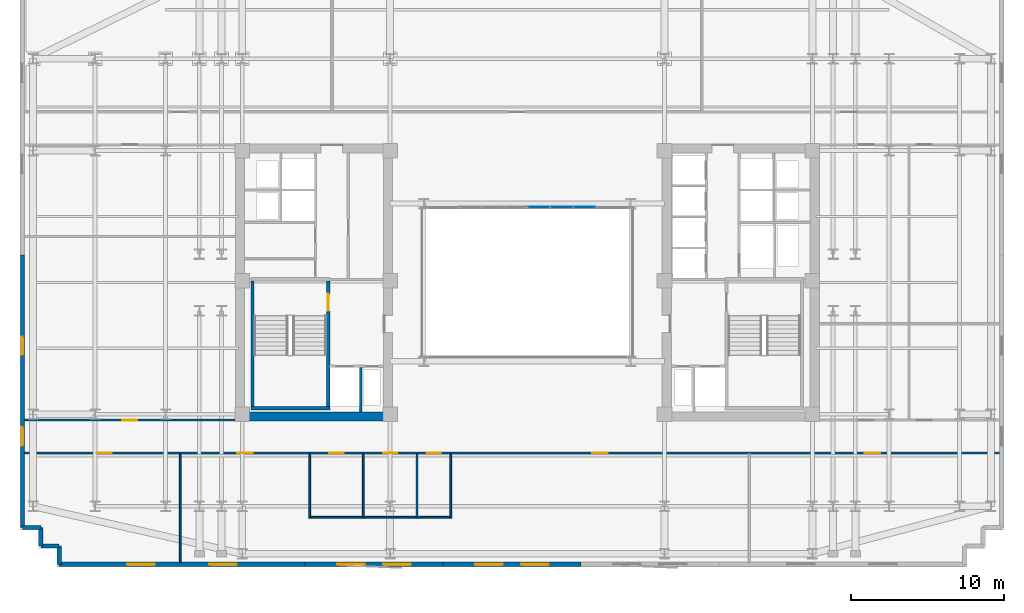
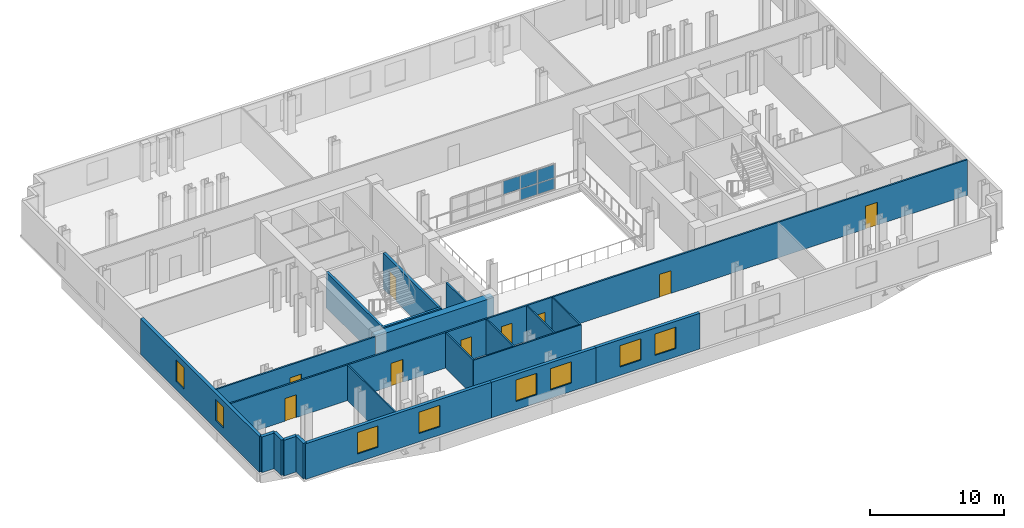
# One storey, part 6 of 12: 21 walls, 9 doors, 8 windows, 5 plates, 17 openings, 1 element without a shape of its own.
"""IFC4 building model written with IfcOpenShell, lengths in metres."""

from ifc_helpers import new_model, si_unit, direction, frame, frame_2d, origin, origin_2d, place, context, subcontext, project, spatial, rectangle, extrude, material, layer, layer_set, type_object, element, fill, aggregate, save


model = new_model("IFC4")

# Units and contexts
model_context = context("Model", 3, precision=1e-05, world=origin(), true_north=direction((0.0, 1.0)))
body_context = subcontext(model_context, "Body", "Model", "MODEL_VIEW")
ifc_project = project(units=[si_unit("LENGTHUNIT", "METRE"), si_unit("AREAUNIT", "SQUARE_METRE"), si_unit("VOLUMEUNIT", "CUBIC_METRE"), si_unit("PLANEANGLEUNIT", "RADIAN"), si_unit("MASSUNIT", "GRAM", prefix="KILO")], contexts=[model_context])

# Site, building, storey
site_placement = place(None, origin())
site = spatial("IfcSite", under=ifc_project, at=site_placement, CompositionType="ELEMENT")
building_placement = place(site_placement, origin())
building = spatial("IfcBuilding", under=site, at=building_placement, Name="Velakula Bourse", CompositionType="ELEMENT")
storey_placement = place(building_placement, frame((0.0, 0.0, 120.85009765625)))
storey = spatial("IfcBuildingStorey", under=building, at=storey_placement, Name="L32", CompositionType="ELEMENT", Elevation=120.85009765625)

# Curtain wall, plates
ifc_material_1 = material(Name="Anodised bronze architectural aluminium", Category="aluminium")
ifc_layer_1 = layer(ifc_material_1, 0.14990234375, Name="Anodised bronze architectural aluminium", Category="aluminium")
ifc_layer_set_1 = layer_set([ifc_layer_1], Name="Anodised bronze architectural aluminium")
curtain_wall_type = type_object("IfcCurtainWallType", Name="CW-AT1", PredefinedType="NOTDEFINED", material=ifc_layer_set_1)
curtain_wall_placement = place(storey_placement, origin())
curtain_wall = element("IfcCurtainWall", 1, at=curtain_wall_placement, inside=storey, type_object=curtain_wall_type, Name="L32 Central Trading Atrium Fire-Rated Glazed Screen", PredefinedType="NOTDEFINED")
ifc_material_2 = material(Name="Fire-resistant EI 120 laminated glazing", Category="glass")
ifc_layer_2 = layer(ifc_material_2, 0.02392578125, Name="Fire-resistant EI 120 laminated glazing", Category="glass")
ifc_layer_set_2 = layer_set([ifc_layer_2], Name="Fire-resistant EI 120 laminated glazing")
plate_type = type_object("IfcPlateType", Name="PNL-CW-AT1", PredefinedType="CURTAIN_PANEL", material=ifc_layer_set_2)
plate_1_placement = place(storey_placement, frame((0.75, 4.919921875, 1.085205078125), z_axis=(0.0, 0.0, 1.0), x_axis=(1.0, 0.0, 0.0)))
plate_1 = element("IfcPlate", 2, at=plate_1_placement, type_object=plate_type, Name="CW-AT1 panel 4.2", PredefinedType="CURTAIN_PANEL", context=body_context, shape_type="SweptSolid", body=[
    extrude(rectangle(XDim=1.43994140625, YDim=0.028076171875, at=origin_2d()), origin(), (0.0, 0.0, 1.0), 1.19970703125),
])
plate_2_placement = place(storey_placement, frame((2.25, 4.919921875, 0.06005859375), z_axis=(0.0, 0.0, 1.0), x_axis=(1.0, 0.0, 0.0)))
plate_2 = element("IfcPlate", 3, at=plate_2_placement, type_object=plate_type, Name="CW-AT1 panel 5.1", PredefinedType="CURTAIN_PANEL", context=body_context, shape_type="SweptSolid", body=[
    extrude(rectangle(XDim=1.43994140625, YDim=0.028076171875, at=origin_2d()), origin(), (0.0, 0.0, 1.0), 0.965087890625),
])
plate_3_placement = place(storey_placement, frame((2.25, 4.919921875, 1.085205078125), z_axis=(0.0, 0.0, 1.0), x_axis=(1.0, 0.0, 0.0)))
plate_3 = element("IfcPlate", 4, at=plate_3_placement, type_object=plate_type, Name="CW-AT1 panel 5.2", PredefinedType="CURTAIN_PANEL", context=body_context, shape_type="SweptSolid", body=[
    extrude(rectangle(XDim=1.43994140625, YDim=0.028076171875, at=origin_2d()), origin(), (0.0, 0.0, 1.0), 1.19970703125),
])
plate_4_placement = place(storey_placement, frame((3.735107421875, 4.919921875, 0.06005859375), z_axis=(0.0, 0.0, 1.0), x_axis=(1.0, 0.0, 0.0)))
plate_4 = element("IfcPlate", 5, at=plate_4_placement, type_object=plate_type, Name="CW-AT1 panel 6.1", PredefinedType="CURTAIN_PANEL", context=body_context, shape_type="SweptSolid", body=[
    extrude(rectangle(XDim=1.409912109375, YDim=0.028076171875, at=origin_2d()), origin(), (0.0, 0.0, 1.0), 0.965087890625),
])
plate_5_placement = place(storey_placement, frame((3.735107421875, 4.919921875, 1.085205078125), z_axis=(0.0, 0.0, 1.0), x_axis=(1.0, 0.0, 0.0)))
plate_5 = element("IfcPlate", 6, at=plate_5_placement, type_object=plate_type, Name="CW-AT1 panel 6.2", PredefinedType="CURTAIN_PANEL", context=body_context, shape_type="SweptSolid", body=[
    extrude(rectangle(XDim=1.409912109375, YDim=0.028076171875, at=origin_2d()), origin(), (0.0, 0.0, 1.0), 1.19970703125),
])
aggregate(curtain_wall, [plate_1, plate_2, plate_3, plate_4, plate_5])

# Wall, opening, door
ifc_material_3 = material(Name="Concrete M50 (fck 50 MPa)", Category="concrete")
ifc_layer_3 = layer(ifc_material_3, 0.2099609375, Name="Concrete M50 (fck 50 MPa)", Category="concrete")
ifc_layer_set_3 = layer_set([ifc_layer_3], Name="Concrete M50 (fck 50 MPa)")
wall_type_1 = type_object("IfcWallType", Name="WL-CORE-210", PredefinedType="SHEAR", material=ifc_layer_set_3)
wall_1_placement = place(storey_placement, frame((-12.9951171875, -8.10009765625, 0.0), z_axis=(0.0, 0.0, 1.0), x_axis=(0.0, 1.0, 0.0)))
wall_1 = element("IfcWall", 7, at=wall_1_placement, inside=storey, type_object=wall_type_1, Name="L32 Core W Stairwell Shear Wall IN", PredefinedType="SHEAR", context=body_context, shape_type="SweptSolid", body=[
    extrude(rectangle(XDim=8.2001953125, YDim=0.2099609375, at=frame_2d((4.10009765625, 0.0))), origin(), (0.0, 0.0, 1.0), 3.27001953125),
])
opening_1_placement = place(wall_1_placement, frame((6.25, 0.0, 0.0)))
opening_1 = element("IfcOpeningElement", 8, at=opening_1_placement, cuts=wall_1, Name="Opening D-STW1", PredefinedType="OPENING", context=body_context, shape_type="SweptSolid", body=[
    extrude(rectangle(XDim=1.10009765625, YDim=2.14990234375, at=frame_2d((0.550048828125, 1.074951171875))), frame((0.0, 0.114990234375, 0.0), z_axis=(0.0, -1.0, 0.0), x_axis=(1.0, 0.0, 0.0)), (0.0, 0.0, 1.0), 0.22998046875),
])
ifc_material_4 = material(Name="Galvanised painted hollow steel fire door", Category="steel")
door_type_1 = type_object("IfcDoorType", Name="DR-FD120-1100x2150", OperationType="NOTDEFINED", PredefinedType="DOOR", material=ifc_material_4)
door_1_placement = place(opening_1_placement, origin())
door_1 = element("IfcDoor", 9, at=door_1_placement, inside=storey, type_object=door_type_1, Name="L32 Stair ST-W1 Fire Door", OperationType="SINGLE_SWING_LEFT", OverallHeight=2.14990234375, OverallWidth=1.10009765625, PredefinedType="DOOR", context=body_context, shape_type="SweptSolid", body=[
    extrude(rectangle(XDim=1.10009765625, YDim=2.14990234375, at=frame_2d((0.550048828125, 1.074951171875))), frame((0.0, 0.02490234375, 0.0), z_axis=(0.0, -1.0, 0.0), x_axis=(1.0, 0.0, 0.0)), (0.0, 0.0, 1.0), 0.050048828125),
])
fill(opening_1, door_1)

# Walls
wall_2_placement = place(storey_placement, frame((-17.925048828125, -8.10009765625, 0.0), z_axis=(0.0, 0.0, 1.0), x_axis=(0.0, 1.0, 0.0)))
element("IfcWall", 10, at=wall_2_placement, inside=storey, type_object=wall_type_1, Name="L32 Core W Stairwell Shear Wall OUT", PredefinedType="SHEAR", context=body_context, shape_type="SweptSolid", body=[
    extrude(rectangle(XDim=8.2001953125, YDim=0.2099609375, at=frame_2d((4.10009765625, 0.0))), origin(), (0.0, 0.0, 1.0), 3.27001953125),
])
wall_3_placement = place(storey_placement, frame((-18.030029296875, -8.205078125, 0.0), z_axis=(0.0, 0.0, 1.0), x_axis=(1.0, 0.0, 0.0)))
element("IfcWall", 11, at=wall_3_placement, inside=storey, type_object=wall_type_1, Name="L32 Core W Stairwell Shear Wall S", PredefinedType="SHEAR", context=body_context, shape_type="SweptSolid", body=[
    extrude(rectangle(XDim=5.14013671875, YDim=0.2099609375, at=frame_2d((2.570068359375, 0.0))), origin(), (0.0, 0.0, 1.0), 3.27001953125),
])
ifc_material_5 = material(Name="Concrete M70 (fck 70 MPa)", Category="concrete")
ifc_layer_4 = layer(ifc_material_5, 0.60009765625, Name="Concrete M70 (fck 70 MPa)", Category="concrete")
ifc_layer_set_4 = layer_set([ifc_layer_4], Name="Concrete M70 (fck 70 MPa)")
wall_type_2 = type_object("IfcWallType", Name="WL-CORE-600", PredefinedType="SHEAR", material=ifc_layer_set_4)
wall_4_placement = place(storey_placement, frame((-19.050048828125, -8.75, 0.0), z_axis=(0.0, 0.0, 1.0), x_axis=(1.0, 0.0, 0.0)))
element("IfcWall", 12, at=wall_4_placement, inside=storey, type_object=wall_type_2, Name="L32 Core W Shear Wall S", PredefinedType="SHEAR", context=body_context, shape_type="SweptSolid", body=[
    extrude(rectangle(XDim=10.25, YDim=0.60009765625, at=frame_2d((5.125, 0.0))), origin(), (0.0, 0.0, 1.0), 3.27001953125),
])

# Wall, openings, windows
ifc_material_6 = material(Name="Red kilned clay facing brick masonry", Category="masonry")
ifc_layer_5 = layer(ifc_material_6, 0.280029296875, Name="Red kilned clay facing brick masonry", Category="masonry")
ifc_layer_set_5 = layer_set([ifc_layer_5], Name="Red kilned clay facing brick masonry")
wall_type_3 = type_object("IfcWallType", Name="WL-EXT-BRK-280", PredefinedType="STANDARD", material=ifc_layer_set_5)
wall_5_placement = place(storey_placement, frame((-14.5, -18.389892578125, 0.0), z_axis=(0.0, 0.0, 1.0), x_axis=(-1.0, 0.0, 0.0)))
wall_5 = element("IfcWall", 13, at=wall_5_placement, inside=storey, type_object=wall_type_3, Name="L32 S Brick Spandrel Wall B1", PredefinedType="STANDARD", context=body_context, shape_type="SweptSolid", body=[
    extrude(rectangle(XDim=16.0400390625, YDim=0.280029296875, at=frame_2d((8.02001953125, 0.0))), origin(), (0.0, 0.0, 1.0), 3.25),
])
opening_2_placement = place(wall_5_placement, frame((4.44677734375, 0.0, 0.760009765625)))
opening_2 = element("IfcOpeningElement", 14, at=opening_2_placement, cuts=wall_5, Name="Opening W-01", PredefinedType="OPENING", context=body_context, shape_type="SweptSolid", body=[
    extrude(rectangle(XDim=1.800048828125, YDim=1.949951171875, at=frame_2d((0.89990234375, 0.97509765625))), frame((0.0, 0.14990234375, 0.0), z_axis=(0.0, -1.0, 0.0), x_axis=(1.0, 0.0, 0.0)), (0.0, 0.0, 1.0), 0.300048828125),
])
opening_3_placement = place(wall_5_placement, frame((9.793212890625, 0.0, 0.760009765625)))
opening_3 = element("IfcOpeningElement", 15, at=opening_3_placement, cuts=wall_5, Name="Opening W-01", PredefinedType="OPENING", context=body_context, shape_type="SweptSolid", body=[
    extrude(rectangle(XDim=1.800048828125, YDim=1.949951171875, at=frame_2d((0.89990234375, 0.97509765625))), frame((0.0, 0.14990234375, 0.0), z_axis=(0.0, -1.0, 0.0), x_axis=(1.0, 0.0, 0.0)), (0.0, 0.0, 1.0), 0.300048828125),
])
ifc_material_7 = material(Name="Double-glazed solar-control Low-E glass", Category="glass")
window_type_1 = type_object("IfcWindowType", Name="WIN-TWR-1800x2100", PartitioningType="SINGLE_PANEL", PredefinedType="WINDOW", material=ifc_material_7)
window_1_placement = place(opening_2_placement, origin())
window_1 = element("IfcWindow", 16, at=window_1_placement, inside=storey, type_object=window_type_1, Name="L32 Deep-Set Recessed Window 1", OverallHeight=1.949951171875, OverallWidth=1.800048828125, PartitioningType="SINGLE_PANEL", PredefinedType="WINDOW", context=body_context, shape_type="SweptSolid", body=[
    extrude(rectangle(XDim=1.800048828125, YDim=1.949951171875, at=frame_2d((0.89990234375, 0.97509765625))), frame((0.0, 0.030029296875, 0.0), z_axis=(0.0, -1.0, 0.0), x_axis=(1.0, 0.0, 0.0)), (0.0, 0.0, 1.0), 0.06005859375),
])
fill(opening_2, window_1)
window_2_placement = place(opening_3_placement, origin())
window_2 = element("IfcWindow", 17, at=window_2_placement, inside=storey, type_object=window_type_1, Name="L32 Deep-Set Recessed Window 2", OverallHeight=1.949951171875, OverallWidth=1.800048828125, PartitioningType="SINGLE_PANEL", PredefinedType="WINDOW", context=body_context, shape_type="SweptSolid", body=[
    extrude(rectangle(XDim=1.800048828125, YDim=1.949951171875, at=frame_2d((0.89990234375, 0.97509765625))), frame((0.0, 0.030029296875, 0.0), z_axis=(0.0, -1.0, 0.0), x_axis=(1.0, 0.0, 0.0)), (0.0, 0.0, 1.0), 0.06005859375),
])
fill(opening_3, window_2)

wall_6_placement = place(storey_placement, frame((-5.5, -18.389892578125, 0.0), z_axis=(0.0, 0.0, 1.0), x_axis=(-1.0, 0.0, 0.0)))
wall_6 = element("IfcWall", 18, at=wall_6_placement, inside=storey, type_object=wall_type_3, Name="L32 S Brick Spandrel Wall B2", PredefinedType="STANDARD", context=body_context, shape_type="SweptSolid", body=[
    extrude(rectangle(XDim=9.0, YDim=0.280029296875, at=frame_2d((4.5, 0.0))), origin(), (0.0, 0.0, 1.0), 3.25),
])
opening_4_placement = place(wall_6_placement, frame((2.10009765625, 0.0, 0.760009765625)))
opening_4 = element("IfcOpeningElement", 19, at=opening_4_placement, cuts=wall_6, Name="Opening W-01", PredefinedType="OPENING", context=body_context, shape_type="SweptSolid", body=[
    extrude(rectangle(XDim=1.800048828125, YDim=1.949951171875, at=frame_2d((0.89990234375, 0.97509765625))), frame((0.0, 0.14990234375, 0.0), z_axis=(0.0, -1.0, 0.0), x_axis=(1.0, 0.0, 0.0)), (0.0, 0.0, 1.0), 0.300048828125),
])
opening_5_placement = place(wall_6_placement, frame((5.10009765625, 0.0, 0.760009765625)))
opening_5 = element("IfcOpeningElement", 20, at=opening_5_placement, cuts=wall_6, Name="Opening W-01", PredefinedType="OPENING", context=body_context, shape_type="SweptSolid", body=[
    extrude(rectangle(XDim=1.800048828125, YDim=1.949951171875, at=frame_2d((0.89990234375, 0.97509765625))), frame((0.0, 0.14990234375, 0.0), z_axis=(0.0, -1.0, 0.0), x_axis=(1.0, 0.0, 0.0)), (0.0, 0.0, 1.0), 0.300048828125),
])
window_3_placement = place(opening_4_placement, origin())
window_3 = element("IfcWindow", 21, at=window_3_placement, inside=storey, type_object=window_type_1, Name="L32 Deep-Set Recessed Window 1", OverallHeight=1.949951171875, OverallWidth=1.800048828125, PartitioningType="SINGLE_PANEL", PredefinedType="WINDOW", context=body_context, shape_type="SweptSolid", body=[
    extrude(rectangle(XDim=1.800048828125, YDim=1.949951171875, at=frame_2d((0.89990234375, 0.97509765625))), frame((0.0, 0.030029296875, 0.0), z_axis=(0.0, -1.0, 0.0), x_axis=(1.0, 0.0, 0.0)), (0.0, 0.0, 1.0), 0.06005859375),
])
fill(opening_4, window_3)
window_4_placement = place(opening_5_placement, origin())
window_4 = element("IfcWindow", 22, at=window_4_placement, inside=storey, type_object=window_type_1, Name="L32 Deep-Set Recessed Window 2", OverallHeight=1.949951171875, OverallWidth=1.800048828125, PartitioningType="SINGLE_PANEL", PredefinedType="WINDOW", context=body_context, shape_type="SweptSolid", body=[
    extrude(rectangle(XDim=1.800048828125, YDim=1.949951171875, at=frame_2d((0.89990234375, 0.97509765625))), frame((0.0, 0.030029296875, 0.0), z_axis=(0.0, -1.0, 0.0), x_axis=(1.0, 0.0, 0.0)), (0.0, 0.0, 1.0), 0.06005859375),
])
fill(opening_5, window_4)

wall_7_placement = place(storey_placement, frame((3.5, -18.389892578125, 0.0), z_axis=(0.0, 0.0, 1.0), x_axis=(-1.0, 0.0, 0.0)))
wall_7 = element("IfcWall", 23, at=wall_7_placement, inside=storey, type_object=wall_type_3, Name="L32 S Brick Spandrel Wall B3", PredefinedType="STANDARD", context=body_context, shape_type="SweptSolid", body=[
    extrude(rectangle(XDim=9.0, YDim=0.280029296875, at=frame_2d((4.5, 0.0))), origin(), (0.0, 0.0, 1.0), 3.25),
])
opening_6_placement = place(wall_7_placement, frame((2.10009765625, 0.0, 0.760009765625)))
opening_6 = element("IfcOpeningElement", 24, at=opening_6_placement, cuts=wall_7, Name="Opening W-01", PredefinedType="OPENING", context=body_context, shape_type="SweptSolid", body=[
    extrude(rectangle(XDim=1.800048828125, YDim=1.949951171875, at=frame_2d((0.89990234375, 0.97509765625))), frame((0.0, 0.14990234375, 0.0), z_axis=(0.0, -1.0, 0.0), x_axis=(1.0, 0.0, 0.0)), (0.0, 0.0, 1.0), 0.300048828125),
])
opening_7_placement = place(wall_7_placement, frame((5.10009765625, 0.0, 0.760009765625)))
opening_7 = element("IfcOpeningElement", 25, at=opening_7_placement, cuts=wall_7, Name="Opening W-01", PredefinedType="OPENING", context=body_context, shape_type="SweptSolid", body=[
    extrude(rectangle(XDim=1.800048828125, YDim=1.949951171875, at=frame_2d((0.89990234375, 0.97509765625))), frame((0.0, 0.14990234375, 0.0), z_axis=(0.0, -1.0, 0.0), x_axis=(1.0, 0.0, 0.0)), (0.0, 0.0, 1.0), 0.300048828125),
])
window_5_placement = place(opening_6_placement, origin())
window_5 = element("IfcWindow", 26, at=window_5_placement, inside=storey, type_object=window_type_1, Name="L32 Deep-Set Recessed Window 1", OverallHeight=1.949951171875, OverallWidth=1.800048828125, PartitioningType="SINGLE_PANEL", PredefinedType="WINDOW", context=body_context, shape_type="SweptSolid", body=[
    extrude(rectangle(XDim=1.800048828125, YDim=1.949951171875, at=frame_2d((0.89990234375, 0.97509765625))), frame((0.0, 0.030029296875, 0.0), z_axis=(0.0, -1.0, 0.0), x_axis=(1.0, 0.0, 0.0)), (0.0, 0.0, 1.0), 0.06005859375),
])
fill(opening_6, window_5)
window_6_placement = place(opening_7_placement, origin())
window_6 = element("IfcWindow", 27, at=window_6_placement, inside=storey, type_object=window_type_1, Name="L32 Deep-Set Recessed Window 2", OverallHeight=1.949951171875, OverallWidth=1.800048828125, PartitioningType="SINGLE_PANEL", PredefinedType="WINDOW", context=body_context, shape_type="SweptSolid", body=[
    extrude(rectangle(XDim=1.800048828125, YDim=1.949951171875, at=frame_2d((0.89990234375, 0.97509765625))), frame((0.0, 0.030029296875, 0.0), z_axis=(0.0, -1.0, 0.0), x_axis=(1.0, 0.0, 0.0)), (0.0, 0.0, 1.0), 0.06005859375),
])
fill(opening_7, window_6)

wall_8_placement = place(storey_placement, frame((-32.93994140625, -15.989990234375, 0.0), z_axis=(0.0, 0.0, 1.0), x_axis=(0.0, 1.0, 0.0)))
wall_8 = element("IfcWall", 28, at=wall_8_placement, inside=storey, type_object=wall_type_3, Name="L32 W Brick End Wall W1", PredefinedType="STANDARD", context=body_context, shape_type="SweptSolid", body=[
    extrude(rectangle(XDim=17.7900390625, YDim=0.280029296875, at=frame_2d((8.89501953125, 0.0))), origin(), (0.0, 0.0, 1.0), 3.25),
])
opening_8_placement = place(wall_8_placement, frame((5.330078125, 0.0, 0.760009765625)))
opening_8 = element("IfcOpeningElement", 29, at=opening_8_placement, cuts=wall_8, Name="Opening W-04", PredefinedType="OPENING", context=body_context, shape_type="SweptSolid", body=[
    extrude(rectangle(XDim=1.199951171875, YDim=1.949951171875, at=frame_2d((0.60009765625, 0.97509765625))), frame((0.0, 0.14990234375, 0.0), z_axis=(0.0, -1.0, 0.0), x_axis=(1.0, 0.0, 0.0)), (0.0, 0.0, 1.0), 0.300048828125),
])
opening_9_placement = place(wall_8_placement, frame((11.260009765625, 0.0, 0.760009765625)))
opening_9 = element("IfcOpeningElement", 30, at=opening_9_placement, cuts=wall_8, Name="Opening W-04", PredefinedType="OPENING", context=body_context, shape_type="SweptSolid", body=[
    extrude(rectangle(XDim=1.199951171875, YDim=1.949951171875, at=frame_2d((0.60009765625, 0.97509765625))), frame((0.0, 0.14990234375, 0.0), z_axis=(0.0, -1.0, 0.0), x_axis=(1.0, 0.0, 0.0)), (0.0, 0.0, 1.0), 0.300048828125),
])
window_type_2 = type_object("IfcWindowType", Name="WIN-TWR-1200x2100", PartitioningType="SINGLE_PANEL", PredefinedType="WINDOW", material=ifc_material_7)
window_7_placement = place(opening_8_placement, origin())
window_7 = element("IfcWindow", 31, at=window_7_placement, inside=storey, type_object=window_type_2, Name="L32 Deep-Set Recessed Window 1", OverallHeight=1.949951171875, OverallWidth=1.199951171875, PartitioningType="SINGLE_PANEL", PredefinedType="WINDOW", context=body_context, shape_type="SweptSolid", body=[
    extrude(rectangle(XDim=1.199951171875, YDim=1.949951171875, at=frame_2d((0.60009765625, 0.97509765625))), frame((0.0, 0.030029296875, 0.0), z_axis=(0.0, -1.0, 0.0), x_axis=(1.0, 0.0, 0.0)), (0.0, 0.0, 1.0), 0.06005859375),
])
fill(opening_8, window_7)
window_8_placement = place(opening_9_placement, origin())
window_8 = element("IfcWindow", 32, at=window_8_placement, inside=storey, type_object=window_type_2, Name="L32 Deep-Set Recessed Window 2", OverallHeight=1.949951171875, OverallWidth=1.199951171875, PartitioningType="SINGLE_PANEL", PredefinedType="WINDOW", context=body_context, shape_type="SweptSolid", body=[
    extrude(rectangle(XDim=1.199951171875, YDim=1.949951171875, at=frame_2d((0.60009765625, 0.97509765625))), frame((0.0, 0.030029296875, 0.0), z_axis=(0.0, -1.0, 0.0), x_axis=(1.0, 0.0, 0.0)), (0.0, 0.0, 1.0), 0.06005859375),
])
fill(opening_9, window_8)

# Walls
for number, where, z_axis, x_axis, name in (
    (33, (-32.93994140625, -15.989990234375, 0.0), (0.0, 0.0, 1.0), (1.0, 0.0, 0.0), "L32 Serrated Corner Brick Wall SW-1"),
    (34, (-31.739990234375, -15.989990234375, 0.0), (0.0, 0.0, 1.0), (0.0, -1.0, 0.0), "L32 Serrated Corner Brick Wall SW-2"),
    (35, (-31.739990234375, -17.18994140625, 0.0), (0.0, 0.0, 1.0), (1.0, 0.0, 0.0), "L32 Serrated Corner Brick Wall SW-3"),
    (36, (-30.5400390625, -17.18994140625, 0.0), (0.0, 0.0, 1.0), (0.0, -1.0, 0.0), "L32 Serrated Corner Brick Wall SW-4"),
):
    element("IfcWall", number, at=place(storey_placement, frame(where, z_axis=z_axis, x_axis=x_axis)), inside=storey, type_object=wall_type_3, Name=name, PredefinedType="STANDARD", context=body_context, shape_type="SweptSolid", body=[
        extrude(rectangle(XDim=1.199951171875, YDim=0.280029296875, at=frame_2d((0.60009765625, 0.0))), origin(), (0.0, 0.0, 1.0), 3.25),
    ])
ifc_material_8 = material(Name="Fire-rated double-layer gypsum drywall partition", Category="gypsum")
ifc_layer_6 = layer(ifc_material_8, 0.1201171875, Name="Fire-rated double-layer gypsum drywall partition", Category="gypsum")
ifc_layer_set_6 = layer_set([ifc_layer_6], Name="Fire-rated double-layer gypsum drywall partition")
wall_type_4 = type_object("IfcWallType", Name="WL-PART-120", PredefinedType="STANDARD", material=ifc_layer_set_6)
wall_9_placement = place(storey_placement, frame((-14.260009765625, -15.320068359375, 0.0), z_axis=(0.0, 0.0, 1.0), x_axis=(1.0, 0.0, 0.0)))
element("IfcWall", 37, at=wall_9_placement, inside=storey, type_object=wall_type_4, Name="L32 Interior Partition WL-WC-L32-BACK", PredefinedType="STANDARD", context=body_context, shape_type="SweptSolid", body=[
    extrude(rectangle(XDim=9.320068359375, YDim=0.1201171875, at=frame_2d((4.66015625, 0.0))), origin(), (0.0, 0.0, 1.0), 3.25),
])
for number, where, z_axis, x_axis, name in (
    (38, (-14.199951171875, -15.320068359375, 0.0), (0.0, 0.0, 1.0), (0.0, 1.0, 0.0), "L32 Interior Partition WL-WC-L32-V1"),
    (39, (-10.699951171875, -15.320068359375, 0.0), (0.0, 0.0, 1.0), (0.0, 1.0, 0.0), "L32 Interior Partition WL-WC-L32-V2"),
    (40, (-7.199951171875, -15.320068359375, 0.0), (0.0, 0.0, 1.0), (0.0, 1.0, 0.0), "L32 Interior Partition WL-WC-L32-V3"),
    (41, (-5.0, -15.320068359375, 0.0), (0.0, 0.0, 1.0), (0.0, 1.0, 0.0), "L32 Interior Partition WL-WC-L32-V4"),
):
    element("IfcWall", number, at=place(storey_placement, frame(where, z_axis=z_axis, x_axis=x_axis)), inside=storey, type_object=wall_type_4, Name=name, PredefinedType="STANDARD", context=body_context, shape_type="SweptSolid", body=[
        extrude(rectangle(XDim=4.130126953125, YDim=0.1201171875, at=frame_2d((2.06494140625, 0.0))), origin(), (0.0, 0.0, 1.0), 3.25),
    ])
wall_10_placement = place(storey_placement, frame((-22.64501953125, -18.27001953125, 0.0), z_axis=(0.0, 0.0, 1.0), x_axis=(0.0, 1.0, 0.0)))
element("IfcWall", 42, at=wall_10_placement, inside=storey, type_object=wall_type_4, Name="L32 Interior Partition WL-INT-L32-SL-D5", PredefinedType="STANDARD", context=body_context, shape_type="SweptSolid", body=[
    extrude(rectangle(XDim=7.080078125, YDim=0.1201171875, at=frame_2d((3.5400390625, 0.0))), origin(), (0.0, 0.0, 1.0), 3.25),
])

# Wall, openings, doors
ifc_layer_7 = layer(ifc_material_8, 0.139892578125, Name="Fire-rated double-layer gypsum drywall partition", Category="gypsum")
ifc_layer_set_7 = layer_set([ifc_layer_7], Name="Fire-rated double-layer gypsum drywall partition")
wall_type_5 = type_object("IfcWallType", Name="WL-PART-140", PredefinedType="STANDARD", material=ifc_layer_set_7)
wall_11_placement = place(storey_placement, frame((-32.820068359375, -11.1201171875, 0.0), z_axis=(0.0, 0.0, 1.0), x_axis=(1.0, 0.0, 0.0)))
wall_11 = element("IfcWall", 43, at=wall_11_placement, inside=storey, type_object=wall_type_5, Name="L32 Interior Partition WL-INT-L32-S-CORR", PredefinedType="STANDARD", context=body_context, shape_type="SweptSolid", body=[
    extrude(rectangle(XDim=63.64013671875, YDim=0.139892578125, at=frame_2d((31.820068359375, 0.0))), origin(), (0.0, 0.0, 1.0), 3.25),
])
opening_10_placement = place(wall_11_placement, frame((19.909912109375, 0.0, 0.0)))
opening_10 = element("IfcOpeningElement", 44, at=opening_10_placement, cuts=wall_11, Name="Opening D-WT1", PredefinedType="OPENING", context=body_context, shape_type="SweptSolid", body=[
    extrude(rectangle(XDim=0.919921875, YDim=2.080078125, at=frame_2d((0.4599609375, 1.0400390625))), frame((0.0, 0.079833984375, 0.0), z_axis=(0.0, -1.0, 0.0), x_axis=(1.0, 0.0, 0.0)), (0.0, 0.0, 1.0), 0.159912109375),
])
opening_11_placement = place(wall_11_placement, frame((23.409912109375, 0.0, 0.0)))
opening_11 = element("IfcOpeningElement", 45, at=opening_11_placement, cuts=wall_11, Name="Opening D-WT1", PredefinedType="OPENING", context=body_context, shape_type="SweptSolid", body=[
    extrude(rectangle(XDim=0.919921875, YDim=2.080078125, at=frame_2d((0.4599609375, 1.0400390625))), frame((0.0, 0.079833984375, 0.0), z_axis=(0.0, -1.0, 0.0), x_axis=(1.0, 0.0, 0.0)), (0.0, 0.0, 1.0), 0.159912109375),
])
opening_12_placement = place(wall_11_placement, frame((26.260009765625, 0.0, 0.0)))
opening_12 = element("IfcOpeningElement", 46, at=opening_12_placement, cuts=wall_11, Name="Opening D-WC1", PredefinedType="OPENING", context=body_context, shape_type="SweptSolid", body=[
    extrude(rectangle(XDim=0.919921875, YDim=2.080078125, at=frame_2d((0.4599609375, 1.0400390625))), frame((0.0, 0.079833984375, 0.0), z_axis=(0.0, -1.0, 0.0), x_axis=(1.0, 0.0, 0.0)), (0.0, 0.0, 1.0), 0.159912109375),
])
opening_13_placement = place(wall_11_placement, frame((4.71337890625, 0.0, 0.0)))
opening_13 = element("IfcOpeningElement", 47, at=opening_13_placement, cuts=wall_11, Name="Opening D-OF1", PredefinedType="OPENING", context=body_context, shape_type="SweptSolid", body=[
    extrude(rectangle(XDim=1.0, YDim=2.080078125, at=frame_2d((0.5, 1.0400390625))), frame((0.0, 0.079833984375, 0.0), z_axis=(0.0, -1.0, 0.0), x_axis=(1.0, 0.0, 0.0)), (0.0, 0.0, 1.0), 0.159912109375),
])
opening_14_placement = place(wall_11_placement, frame((13.8974609375, 0.0, 0.0)))
opening_14 = element("IfcOpeningElement", 48, at=opening_14_placement, cuts=wall_11, Name="Opening D-OF1", PredefinedType="OPENING", context=body_context, shape_type="SweptSolid", body=[
    extrude(rectangle(XDim=1.0, YDim=2.080078125, at=frame_2d((0.5, 1.0400390625))), frame((0.0, 0.079833984375, 0.0), z_axis=(0.0, -1.0, 0.0), x_axis=(1.0, 0.0, 0.0)), (0.0, 0.0, 1.0), 0.159912109375),
])
opening_15_placement = place(wall_11_placement, frame((37.064453125, 0.0, 0.0)))
opening_15 = element("IfcOpeningElement", 49, at=opening_15_placement, cuts=wall_11, Name="Opening D-OF1", PredefinedType="OPENING", context=body_context, shape_type="SweptSolid", body=[
    extrude(rectangle(XDim=1.0, YDim=2.080078125, at=frame_2d((0.5, 1.0400390625))), frame((0.0, 0.079833984375, 0.0), z_axis=(0.0, -1.0, 0.0), x_axis=(1.0, 0.0, 0.0)), (0.0, 0.0, 1.0), 0.159912109375),
])
opening_16_placement = place(wall_11_placement, frame((54.848388671875, 0.0, 0.0)))
opening_16 = element("IfcOpeningElement", 50, at=opening_16_placement, cuts=wall_11, Name="Opening D-OF1", PredefinedType="OPENING", context=body_context, shape_type="SweptSolid", body=[
    extrude(rectangle(XDim=1.0, YDim=2.080078125, at=frame_2d((0.5, 1.0400390625))), frame((0.0, 0.079833984375, 0.0), z_axis=(0.0, -1.0, 0.0), x_axis=(1.0, 0.0, 0.0)), (0.0, 0.0, 1.0), 0.159912109375),
])
ifc_material_9 = material(Name="Fire-rated hardwood flush architectural door", Category="wood")
door_type_2 = type_object("IfcDoorType", Name="DR-OFF-1000", OperationType="NOTDEFINED", PredefinedType="DOOR", material=ifc_material_9)
door_2_placement = place(opening_13_placement, origin())
door_2 = element("IfcDoor", 51, at=door_2_placement, inside=storey, type_object=door_type_2, Name="L32 Quiet Financial Library Door", OperationType="SINGLE_SWING_LEFT", OverallHeight=2.080078125, OverallWidth=1.0, PredefinedType="DOOR", context=body_context, shape_type="SweptSolid", body=[
    extrude(rectangle(XDim=1.0, YDim=2.080078125, at=frame_2d((0.5, 1.0400390625))), frame((0.0, 0.02490234375, 0.0), z_axis=(0.0, -1.0, 0.0), x_axis=(1.0, 0.0, 0.0)), (0.0, 0.0, 1.0), 0.050048828125),
])
fill(opening_13, door_2)
door_3_placement = place(opening_14_placement, origin())
door_3 = element("IfcDoor", 52, at=door_3_placement, inside=storey, type_object=door_type_2, Name="L32 Margin Control Office Door", OperationType="SINGLE_SWING_RIGHT", OverallHeight=2.080078125, OverallWidth=1.0, PredefinedType="DOOR", context=body_context, shape_type="SweptSolid", body=[
    extrude(rectangle(XDim=1.0, YDim=2.080078125, at=frame_2d((0.5, 1.0400390625))), frame((0.0, 0.02490234375, 0.0), z_axis=(0.0, -1.0, 0.0), x_axis=(1.0, 0.0, 0.0)), (0.0, 0.0, 1.0), 0.050048828125),
])
fill(opening_14, door_3)
door_4_placement = place(opening_15_placement, origin())
door_4 = element("IfcDoor", 53, at=door_4_placement, inside=storey, type_object=door_type_2, Name="L32 Peer Review Boardroom Door", OperationType="SINGLE_SWING_LEFT", OverallHeight=2.080078125, OverallWidth=1.0, PredefinedType="DOOR", context=body_context, shape_type="SweptSolid", body=[
    extrude(rectangle(XDim=1.0, YDim=2.080078125, at=frame_2d((0.5, 1.0400390625))), frame((0.0, 0.02490234375, 0.0), z_axis=(0.0, -1.0, 0.0), x_axis=(1.0, 0.0, 0.0)), (0.0, 0.0, 1.0), 0.050048828125),
])
fill(opening_15, door_4)
door_5_placement = place(opening_16_placement, origin())
door_5 = element("IfcDoor", 54, at=door_5_placement, inside=storey, type_object=door_type_2, Name="L32 Catering Servery Pantry Door", OperationType="SINGLE_SWING_RIGHT", OverallHeight=2.080078125, OverallWidth=1.0, PredefinedType="DOOR", context=body_context, shape_type="SweptSolid", body=[
    extrude(rectangle(XDim=1.0, YDim=2.080078125, at=frame_2d((0.5, 1.0400390625))), frame((0.0, 0.02490234375, 0.0), z_axis=(0.0, -1.0, 0.0), x_axis=(1.0, 0.0, 0.0)), (0.0, 0.0, 1.0), 0.050048828125),
])
fill(opening_16, door_5)
door_type_3 = type_object("IfcDoorType", Name="DR-WC-950", OperationType="NOTDEFINED", PredefinedType="DOOR", material=ifc_material_9)
door_6_placement = place(opening_10_placement, origin())
door_6 = element("IfcDoor", 55, at=door_6_placement, inside=storey, type_object=door_type_3, Name="L32 Male Staff Toilet Door", OperationType="SINGLE_SWING_RIGHT", OverallHeight=2.080078125, OverallWidth=0.919921875, PredefinedType="DOOR", context=body_context, shape_type="SweptSolid", body=[
    extrude(rectangle(XDim=0.919921875, YDim=2.080078125, at=frame_2d((0.4599609375, 1.0400390625))), frame((0.0, 0.02490234375, 0.0), z_axis=(0.0, -1.0, 0.0), x_axis=(1.0, 0.0, 0.0)), (0.0, 0.0, 1.0), 0.050048828125),
])
fill(opening_10, door_6)
door_7_placement = place(opening_11_placement, origin())
door_7 = element("IfcDoor", 56, at=door_7_placement, inside=storey, type_object=door_type_3, Name="L32 Female Staff Toilet Door", OperationType="SINGLE_SWING_LEFT", OverallHeight=2.080078125, OverallWidth=0.919921875, PredefinedType="DOOR", context=body_context, shape_type="SweptSolid", body=[
    extrude(rectangle(XDim=0.919921875, YDim=2.080078125, at=frame_2d((0.4599609375, 1.0400390625))), frame((0.0, 0.02490234375, 0.0), z_axis=(0.0, -1.0, 0.0), x_axis=(1.0, 0.0, 0.0)), (0.0, 0.0, 1.0), 0.050048828125),
])
fill(opening_11, door_7)
door_8_placement = place(opening_12_placement, origin())
door_8 = element("IfcDoor", 57, at=door_8_placement, inside=storey, type_object=door_type_3, Name="L32 Accessible WC Door", OperationType="SINGLE_SWING_RIGHT", OverallHeight=2.080078125, OverallWidth=0.919921875, PredefinedType="DOOR", context=body_context, shape_type="SweptSolid", body=[
    extrude(rectangle(XDim=0.919921875, YDim=2.080078125, at=frame_2d((0.4599609375, 1.0400390625))), frame((0.0, 0.02490234375, 0.0), z_axis=(0.0, -1.0, 0.0), x_axis=(1.0, 0.0, 0.0)), (0.0, 0.0, 1.0), 0.050048828125),
])
fill(opening_12, door_8)

# Wall, opening, door
wall_12_placement = place(storey_placement, frame((-32.820068359375, -8.97998046875, 0.0), z_axis=(0.0, 0.0, 1.0), x_axis=(1.0, 0.0, 0.0)))
wall_12 = element("IfcWall", 58, at=wall_12_placement, inside=storey, type_object=wall_type_5, Name="L32 Interior Partition WL-INT-L32-W-SC", PredefinedType="STANDARD", context=body_context, shape_type="SweptSolid", body=[
    extrude(rectangle(XDim=13.77001953125, YDim=0.139892578125, at=frame_2d((6.885009765625, 0.0))), origin(), (0.0, 0.0, 1.0), 3.25),
])
opening_17_placement = place(wall_12_placement, frame((6.385009765625, 0.0, 0.0)))
opening_17 = element("IfcOpeningElement", 59, at=opening_17_placement, cuts=wall_12, Name="Opening D-OF1", PredefinedType="OPENING", context=body_context, shape_type="SweptSolid", body=[
    extrude(rectangle(XDim=1.0, YDim=2.080078125, at=frame_2d((0.5, 1.0400390625))), frame((0.0, 0.079833984375, 0.0), z_axis=(0.0, -1.0, 0.0), x_axis=(1.0, 0.0, 0.0)), (0.0, 0.0, 1.0), 0.159912109375),
])
door_9_placement = place(opening_17_placement, origin())
door_9 = element("IfcDoor", 60, at=door_9_placement, inside=storey, type_object=door_type_2, Name="L32 Sovereign Debt Trading Workspace Door", OperationType="SINGLE_SWING_RIGHT", OverallHeight=2.080078125, OverallWidth=1.0, PredefinedType="DOOR", context=body_context, shape_type="SweptSolid", body=[
    extrude(rectangle(XDim=1.0, YDim=2.080078125, at=frame_2d((0.5, 1.0400390625))), frame((0.0, 0.02490234375, 0.0), z_axis=(0.0, -1.0, 0.0), x_axis=(1.0, 0.0, 0.0)), (0.0, 0.0, 1.0), 0.050048828125),
])
fill(opening_17, door_9)

# Wall
ifc_material_10 = material(Name="Autoclaved aerated concrete blockwork masonry", Category="masonry")
ifc_layer_8 = layer(ifc_material_10, 0.14990234375, Name="Autoclaved aerated concrete blockwork masonry", Category="masonry")
ifc_layer_set_8 = layer_set([ifc_layer_8], Name="Autoclaved aerated concrete blockwork masonry")
wall_type_6 = type_object("IfcWallType", Name="WL-SHAFT-150", PredefinedType="STANDARD", material=ifc_layer_set_8)
wall_13_placement = place(storey_placement, frame((-10.875, -8.449951171875, 0.0), z_axis=(0.0, 0.0, 1.0), x_axis=(0.0, 1.0, 0.0)))
element("IfcWall", 61, at=wall_13_placement, inside=storey, type_object=wall_type_6, Name="L32 Interior Partition WL-CRW-L32-FR-DIV", PredefinedType="STANDARD", context=body_context, shape_type="SweptSolid", body=[
    extrude(rectangle(XDim=2.89990234375, YDim=0.14990234375, at=frame_2d((1.449951171875, 0.0))), origin(), (0.0, 0.0, 1.0), 3.25),
])

save(model, "model.ifc")
